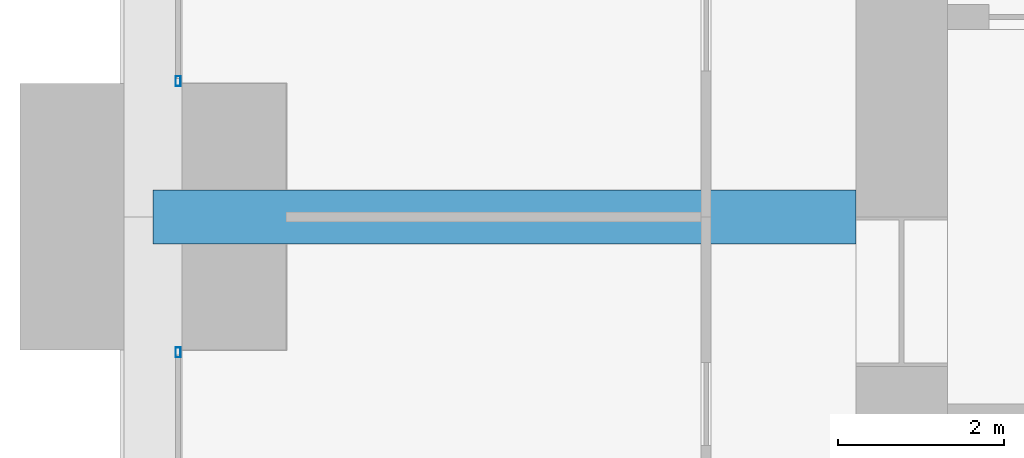
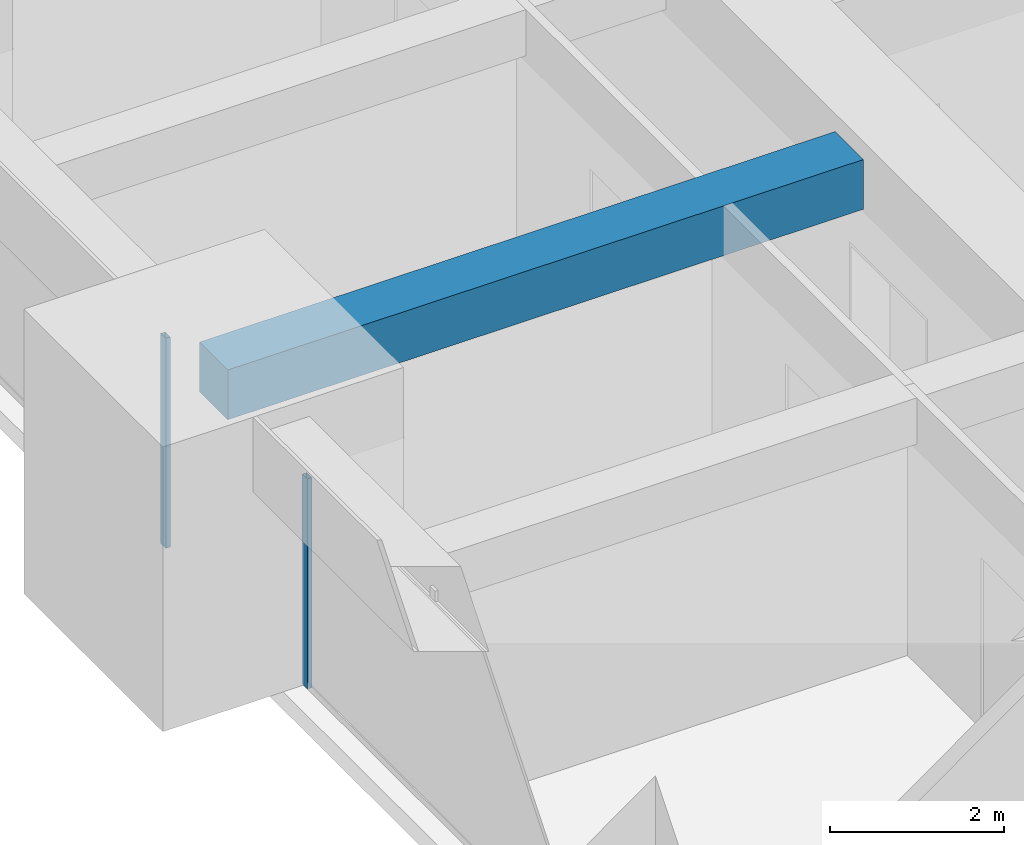
# One storey, part 15 of 43: 2 members, 1 beam, 2 elements without a shape of their own.
"""IFC4 building model written with IfcOpenShell, lengths in metres."""

from ifc_helpers import new_model, si_unit, direction, frame, origin, origin_2d, place, context, subcontext, project, spatial, rectangle, hollow_rectangle, extrude, material, material_profile, profile_set, type_object, element, aggregate, save


model = new_model("IFC4")

# Units and contexts
model_context = context("Model", 3, precision=1e-05, world=origin(), true_north=direction((0.0, 1.0)))
body_context = subcontext(model_context, "Body", "Model", "MODEL_VIEW")
ifc_project = project(units=[si_unit("LENGTHUNIT", "METRE"), si_unit("AREAUNIT", "SQUARE_METRE"), si_unit("VOLUMEUNIT", "CUBIC_METRE"), si_unit("PLANEANGLEUNIT", "RADIAN"), si_unit("MASSUNIT", "GRAM", prefix="KILO")], contexts=[model_context])

# Site, building, storey
site_placement = place(None, origin())
site = spatial("IfcSite", under=ifc_project, at=site_placement, CompositionType="ELEMENT")
building_placement = place(site_placement, origin())
building = spatial("IfcBuilding", under=site, at=building_placement, Name="Zorevar Civic Tower", CompositionType="ELEMENT")
storey_placement = place(building_placement, frame((0.0, 0.0, 243.39990234375)))
storey = spatial("IfcBuildingStorey", under=building, at=storey_placement, Name="L59", CompositionType="ELEMENT", Elevation=243.39990234375)

# Beam
ifc_material_1 = material(Name="Concrete C50/60", Category="concrete")
ifc_material_profile_1 = material_profile(ifc_material_1, rectangle(XDim=0.64990234375, YDim=0.699951171875, at=origin_2d()), Name="RC 650x700")
ifc_profile_set_1 = profile_set([ifc_material_profile_1], Name="Concrete C50/60")
beam_type = type_object("IfcBeamType", Name="Beam RC 650x700", PredefinedType="BEAM", material=ifc_profile_set_1)
beam_placement = place(storey_placement, frame((9.0, 27.0, 3.400146484375), z_axis=(1.0, 0.0, 0.0), x_axis=(0.0, 1.0, 0.0)))
element("IfcBeam", 1, at=beam_placement, inside=storey, type_object=beam_type, Name="Girder L60", PredefinedType="BEAM", context=body_context, shape_type="SweptSolid", body=[
    extrude(rectangle(XDim=0.64990234375, YDim=0.699951171875, at=origin_2d()), origin(), (0.0, 0.0, 1.0), 8.449951171875),
])

# Curtain wall, member
ifc_material_2 = material(Name="Dark grey solar-control glass in black aluminium frame", Category="aluminium")
curtain_wall_type = type_object("IfcCurtainWallType", Name="Curtain wall CW5 top zone", PredefinedType="NOTDEFINED", material=ifc_material_2)
curtain_wall_1_placement = place(storey_placement, origin())
curtain_wall_1 = element("IfcCurtainWall", 2, at=curtain_wall_1_placement, inside=storey, type_object=curtain_wall_type, Name="CW5 L59", PredefinedType="NOTDEFINED")
ifc_material_3 = material(Name="Aluminium, black anodised", Category="aluminium")
ifc_material_profile_2 = material_profile(ifc_material_3, hollow_rectangle(XDim=0.06005859375, YDim=0.1201171875, WallThickness=0.0029296875, at=origin_2d()), Name="AL 120x60x3")
ifc_profile_set_2 = profile_set([ifc_material_profile_2], Name="Aluminium, black anodised")
member_type = type_object("IfcMemberType", Name="CW5 mullion AL 120x60x3", PredefinedType="MULLION", material=ifc_profile_set_2)
member_1_placement = place(storey_placement, frame((9.300048828125, 25.3701171875, 0.0), z_axis=(0.0, 0.0, 1.0), x_axis=(-1.0, 0.0, 0.0)))
member_1 = element("IfcMember", 3, at=member_1_placement, type_object=member_type, Name="CW5 mullion 2", PredefinedType="MULLION", context=body_context, shape_type="SweptSolid", body=[
    extrude(hollow_rectangle(XDim=0.06005859375, YDim=0.1201171875, WallThickness=0.0029296875, at=origin_2d()), origin(), (0.0, 0.0, 1.0), 2.9501953125),
])
aggregate(curtain_wall_1, [member_1])

curtain_wall_2_placement = place(storey_placement, origin())
curtain_wall_2 = element("IfcCurtainWall", 4, at=curtain_wall_2_placement, inside=storey, type_object=curtain_wall_type, Name="CW5 L59", PredefinedType="NOTDEFINED")
member_2_placement = place(storey_placement, frame((9.300048828125, 28.6298828125, 0.0), z_axis=(0.0, 0.0, 1.0), x_axis=(-1.0, 0.0, 0.0)))
member_2 = element("IfcMember", 5, at=member_2_placement, type_object=member_type, Name="CW5 mullion 1", PredefinedType="MULLION", context=body_context, shape_type="SweptSolid", body=[
    extrude(hollow_rectangle(XDim=0.06005859375, YDim=0.1201171875, WallThickness=0.0029296875, at=origin_2d()), origin(), (0.0, 0.0, 1.0), 2.9501953125),
])
aggregate(curtain_wall_2, [member_2])

save(model, "model.ifc")
